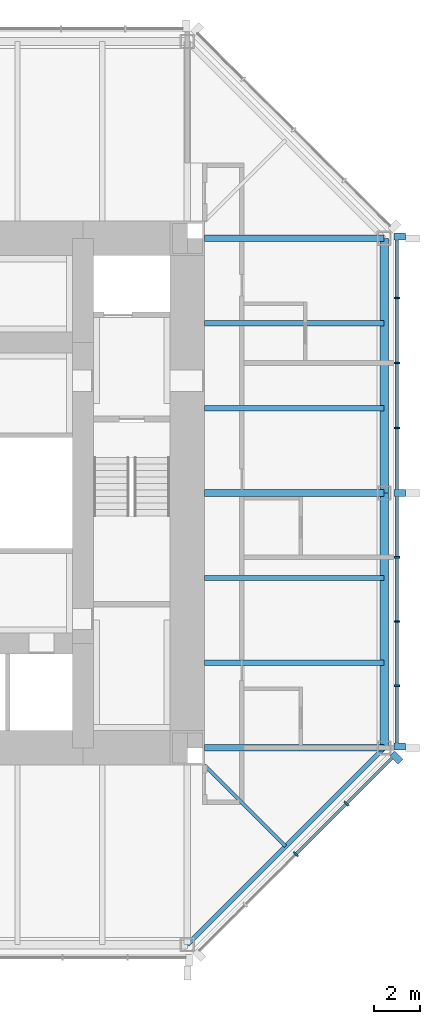
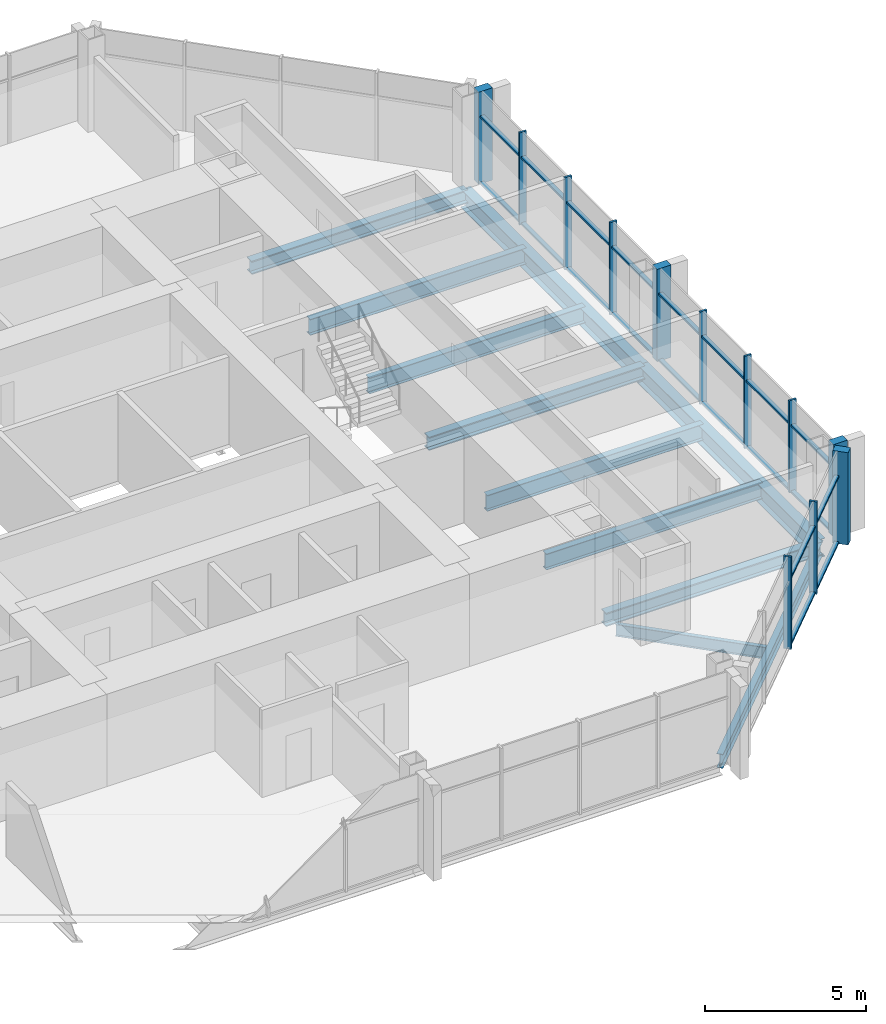
# One storey, part 4 of 11: 32 members, 11 beams, 2 elements without a shape of their own.
"""IFC4 building model written with IfcOpenShell, lengths in metres."""

from ifc_helpers import new_model, si_unit, direction, frame, origin, origin_2d, place, context, subcontext, project, spatial, rectangle, i_section, extrude, material, material_profile, profile_set, type_object, element, aggregate, save


model = new_model("IFC4")

# Units and contexts
model_context = context("Model", 3, precision=1e-05, world=origin(), true_north=direction((0.0, 1.0)))
body_context = subcontext(model_context, "Body", "Model", "MODEL_VIEW")
ifc_project = project(units=[si_unit("LENGTHUNIT", "METRE"), si_unit("AREAUNIT", "SQUARE_METRE"), si_unit("VOLUMEUNIT", "CUBIC_METRE"), si_unit("PLANEANGLEUNIT", "RADIAN"), si_unit("MASSUNIT", "GRAM", prefix="KILO")], contexts=[model_context])

# Site, building, storey
site_placement = place(None, origin())
site = spatial("IfcSite", under=ifc_project, at=site_placement, CompositionType="ELEMENT")
building_placement = place(site_placement, origin())
building = spatial("IfcBuilding", under=site, at=building_placement, Name="Trevanion Tower", CompositionType="ELEMENT")
storey_placement = place(building_placement, frame((0.0, 0.0, 236.199951171875)))
storey = spatial("IfcBuildingStorey", under=building, at=storey_placement, Name="L57", CompositionType="ELEMENT", Elevation=236.199951171875)

# Beams
ifc_material_1 = material(Name="Steel ASTM A992 Grade 50", Category="steel")
ifc_material_profile_1 = material_profile(ifc_material_1, i_section(OverallWidth=0.228271484375, OverallDepth=0.607177734375, WebThickness=0.01123046875, FlangeThickness=0.017333984375, at=origin_2d()), Name="W24X76")
ifc_profile_set_1 = profile_set([ifc_material_profile_1], Name="Steel ASTM A992 Grade 50")
beam_type_1 = type_object("IfcBeamType", Name="B11 W24X76", PredefinedType="BEAM", material=ifc_profile_set_1)
for number, where, z_axis, x_axis, name in (
    (1, (11.75, -7.333251953125, -0.493408203125), (1.0, 0.0, 0.0), (0.0, 1.0, 0.0), "B11 L57"),
    (2, (11.75, -3.666748046875, -0.493408203125), (1.0, 0.0, 0.0), (0.0, 1.0, 0.0), "B11 L57"),
    (3, (11.75, 3.666748046875, -0.493408203125), (1.0, 0.0, 0.0), (0.0, 1.0, 0.0), "B11 L57"),
    (4, (11.75, 7.333251953125, -0.493408203125), (1.0, 0.0, 0.0), (0.0, 1.0, 0.0), "B11 L57"),
):
    element("IfcBeam", number, at=place(storey_placement, frame(where, z_axis=z_axis, x_axis=x_axis)), inside=storey, type_object=beam_type_1, Name=name, PredefinedType="BEAM", context=body_context, shape_type="SweptSolid", body=[
        extrude(i_section(OverallWidth=0.228271484375, OverallDepth=0.607177734375, WebThickness=0.01123046875, FlangeThickness=0.017333984375, at=origin_2d()), origin(), (0.0, 0.0, 1.0), 7.75),
    ])
ifc_material_2 = material(Name="Steel ASTM A992 Grade 50", Category="steel")
ifc_material_profile_2 = material_profile(ifc_material_2, i_section(OverallWidth=0.15234375, OverallDepth=0.449462890625, WebThickness=0.007568359375, FlangeThickness=0.0107421875, at=origin_2d()), Name="W18X35")
ifc_profile_set_2 = profile_set([ifc_material_profile_2], Name="Steel ASTM A992 Grade 50")
beam_type_2 = type_object("IfcBeamType", Name="B12 W18X35", PredefinedType="BEAM", material=ifc_profile_set_2)
beam_1_placement = place(storey_placement, frame((11.75, -11.75, -0.414794921875), z_axis=(0.707106781187, -0.707106781187, 0.0), x_axis=(0.707106781187, 0.707106781187, 0.0)))
element("IfcBeam", 5, at=beam_1_placement, inside=storey, type_object=beam_type_2, Name="B12 L57", PredefinedType="BEAM", context=body_context, shape_type="SweptSolid", body=[
    extrude(i_section(OverallWidth=0.15234375, OverallDepth=0.449462890625, WebThickness=0.007568359375, FlangeThickness=0.0107421875, at=origin_2d()), origin(), (0.0, 0.0, 1.0), 4.94970703125),
])

# Curtain wall, members
ifc_material_3 = material(Name="Aluminium and glass", Category="aluminium")
curtain_wall_type = type_object("IfcCurtainWallType", Name="CW3 curtain wall", PredefinedType="USERDEFINED", material=ifc_material_3)
curtain_wall_1_placement = place(storey_placement, origin())
curtain_wall_1 = element("IfcCurtainWall", 6, at=curtain_wall_1_placement, inside=storey, type_object=curtain_wall_type, Name="CW3 L57 0", ObjectType="UNITISED CURTAIN WALL", PredefinedType="USERDEFINED")
ifc_material_4 = material(Name="Aluminium extrusion, anodised bronze", Category="aluminium")
ifc_material_profile_3 = material_profile(ifc_material_4, rectangle(XDim=0.074951171875, YDim=0.25, at=origin_2d()), Name="CW3 mullion")
ifc_profile_set_3 = profile_set([ifc_material_profile_3], Name="Aluminium extrusion, anodised bronze")
member_type_1 = type_object("IfcMemberType", Name="CW3 mullion", PredefinedType="MULLION", material=ifc_profile_set_3)
member_1_placement = place(storey_placement, frame((20.050048828125, -8.323486328125, -0.18994140625), z_axis=(0.0, 0.0, 1.0), x_axis=(0.0, 1.0, 0.0)))
member_1 = element("IfcMember", 7, at=member_1_placement, type_object=member_type_1, Name="CW3 mullion 2", PredefinedType="MULLION", context=body_context, shape_type="SweptSolid", body=[
    extrude(rectangle(XDim=0.074951171875, YDim=0.25, at=origin_2d()), origin(), (0.0, 0.0, 1.0), 3.5),
])
member_2_placement = place(storey_placement, frame((20.050048828125, -5.548828125, -0.18994140625), z_axis=(0.0, 0.0, 1.0), x_axis=(0.0, 1.0, 0.0)))
member_2 = element("IfcMember", 8, at=member_2_placement, type_object=member_type_1, Name="CW3 mullion 3", PredefinedType="MULLION", context=body_context, shape_type="SweptSolid", body=[
    extrude(rectangle(XDim=0.074951171875, YDim=0.25, at=origin_2d()), origin(), (0.0, 0.0, 1.0), 3.5),
])
member_3_placement = place(storey_placement, frame((20.050048828125, -2.7744140625, -0.18994140625), z_axis=(0.0, 0.0, 1.0), x_axis=(0.0, 1.0, 0.0)))
member_3 = element("IfcMember", 9, at=member_3_placement, type_object=member_type_1, Name="CW3 mullion 4", PredefinedType="MULLION", context=body_context, shape_type="SweptSolid", body=[
    extrude(rectangle(XDim=0.074951171875, YDim=0.25, at=origin_2d()), origin(), (0.0, 0.0, 1.0), 3.5),
])
member_4_placement = place(storey_placement, frame((20.050048828125, 2.806884765625, -0.18994140625), z_axis=(0.0, 0.0, 1.0), x_axis=(0.0, 1.0, 0.0)))
member_4 = element("IfcMember", 10, at=member_4_placement, type_object=member_type_1, Name="CW3 mullion 6", PredefinedType="MULLION", context=body_context, shape_type="SweptSolid", body=[
    extrude(rectangle(XDim=0.074951171875, YDim=0.25, at=origin_2d()), origin(), (0.0, 0.0, 1.0), 3.5),
])
member_5_placement = place(storey_placement, frame((20.050048828125, 5.614013671875, -0.18994140625), z_axis=(0.0, 0.0, 1.0), x_axis=(0.0, 1.0, 0.0)))
member_5 = element("IfcMember", 11, at=member_5_placement, type_object=member_type_1, Name="CW3 mullion 7", PredefinedType="MULLION", context=body_context, shape_type="SweptSolid", body=[
    extrude(rectangle(XDim=0.074951171875, YDim=0.25, at=origin_2d()), origin(), (0.0, 0.0, 1.0), 3.5),
])
member_6_placement = place(storey_placement, frame((20.050048828125, 8.4208984375, -0.18994140625), z_axis=(0.0, 0.0, 1.0), x_axis=(0.0, 1.0, 0.0)))
member_6 = element("IfcMember", 12, at=member_6_placement, type_object=member_type_1, Name="CW3 mullion 8", PredefinedType="MULLION", context=body_context, shape_type="SweptSolid", body=[
    extrude(rectangle(XDim=0.074951171875, YDim=0.25, at=origin_2d()), origin(), (0.0, 0.0, 1.0), 3.5),
])

curtain_wall_2_placement = place(storey_placement, origin())
curtain_wall_2 = element("IfcCurtainWall", 13, at=curtain_wall_2_placement, inside=storey, type_object=curtain_wall_type, Name="CW3 L57 7", ObjectType="UNITISED CURTAIN WALL", PredefinedType="USERDEFINED")
member_7_placement = place(storey_placement, frame((15.684814453125, -15.593017578125, -0.18994140625), z_axis=(0.0, 0.0, 1.0), x_axis=(0.707106781187, 0.707106781187, 0.0)))
member_7 = element("IfcMember", 14, at=member_7_placement, type_object=member_type_1, Name="CW3 mullion 3", PredefinedType="MULLION", context=body_context, shape_type="SweptSolid", body=[
    extrude(rectangle(XDim=0.074951171875, YDim=0.25, at=origin_2d()), origin(), (0.0, 0.0, 1.0), 3.5),
])
member_8_placement = place(storey_placement, frame((17.867431640625, -13.410400390625, -0.18994140625), z_axis=(0.0, 0.0, 1.0), x_axis=(0.707106781187, 0.707106781187, 0.0)))
member_8 = element("IfcMember", 15, at=member_8_placement, type_object=member_type_1, Name="CW3 mullion 4", PredefinedType="MULLION", context=body_context, shape_type="SweptSolid", body=[
    extrude(rectangle(XDim=0.074951171875, YDim=0.25, at=origin_2d()), origin(), (0.0, 0.0, 1.0), 3.5),
])

# Member
ifc_material_5 = material(Name="Aluminium extrusion, anodised bronze", Category="aluminium")
ifc_material_profile_4 = material_profile(ifc_material_5, rectangle(XDim=0.300048828125, YDim=0.5, at=origin_2d()), Name="CW3 pier mullion")
ifc_profile_set_4 = profile_set([ifc_material_profile_4], Name="Aluminium extrusion, anodised bronze")
member_type_2 = type_object("IfcMemberType", Name="CW3 pier mullion", PredefinedType="MULLION", material=ifc_profile_set_4)
member_9_placement = place(storey_placement, frame((20.175048828125, -10.94775390625, -0.18994140625), z_axis=(0.0, 0.0, 1.0), x_axis=(0.0, 1.0, 0.0)))
member_9 = element("IfcMember", 16, at=member_9_placement, type_object=member_type_2, Name="CW3 pier mullion 1", PredefinedType="MULLION", context=body_context, shape_type="SweptSolid", body=[
    extrude(rectangle(XDim=0.300048828125, YDim=0.5, at=origin_2d()), origin(), (0.0, 0.0, 1.0), 3.5),
])

member_10_placement = place(storey_placement, frame((20.175048828125, 0.0, -0.18994140625), z_axis=(0.0, 0.0, 1.0), x_axis=(0.0, 1.0, 0.0)))
member_10 = element("IfcMember", 17, at=member_10_placement, type_object=member_type_2, Name="CW3 pier mullion 5", PredefinedType="MULLION", context=body_context, shape_type="SweptSolid", body=[
    extrude(rectangle(XDim=0.300048828125, YDim=0.5, at=origin_2d()), origin(), (0.0, 0.0, 1.0), 3.5),
])

member_11_placement = place(storey_placement, frame((20.175048828125, 11.077880859375, -0.18994140625), z_axis=(0.0, 0.0, 1.0), x_axis=(0.0, 1.0, 0.0)))
member_11 = element("IfcMember", 18, at=member_11_placement, type_object=member_type_2, Name="CW3 pier mullion 9", PredefinedType="MULLION", context=body_context, shape_type="SweptSolid", body=[
    extrude(rectangle(XDim=0.300048828125, YDim=0.5, at=origin_2d()), origin(), (0.0, 0.0, 1.0), 3.5),
])

member_12_placement = place(storey_placement, frame((20.0322265625, -11.42236328125, -0.18994140625), z_axis=(0.0, 0.0, 1.0), x_axis=(0.707106781187, 0.707106781187, 0.0)))
member_12 = element("IfcMember", 19, at=member_12_placement, type_object=member_type_2, Name="CW3 pier mullion 5", PredefinedType="MULLION", context=body_context, shape_type="SweptSolid", body=[
    extrude(rectangle(XDim=0.300048828125, YDim=0.5, at=origin_2d()), origin(), (0.0, 0.0, 1.0), 3.5),
])

ifc_material_6 = material(Name="Aluminium extrusion, anodised bronze", Category="aluminium")
ifc_material_profile_5 = material_profile(ifc_material_6, rectangle(XDim=0.14990234375, YDim=0.074951171875, at=origin_2d()), Name="CW3 transom")
ifc_profile_set_5 = profile_set([ifc_material_profile_5], Name="Aluminium extrusion, anodised bronze")
member_type_3 = type_object("IfcMemberType", Name="CW3 transom", PredefinedType="USERDEFINED", material=ifc_profile_set_5)
member_13_placement = place(storey_placement, frame((20.050048828125, -10.7978515625, -0.15234375), z_axis=(0.0, 1.0, 0.0), x_axis=(-1.0, 0.0, 0.0)))
member_13 = element("IfcMember", 20, at=member_13_placement, type_object=member_type_3, Name="CW3 transom 1.1", ObjectType="TRANSOM", PredefinedType="USERDEFINED", context=body_context, shape_type="SweptSolid", body=[
    extrude(rectangle(XDim=0.14990234375, YDim=0.074951171875, at=origin_2d()), origin(), (0.0, 0.0, 1.0), 2.43701171875),
])

member_14_placement = place(storey_placement, frame((20.050048828125, -10.7978515625, 2.360107421875), z_axis=(0.0, 1.0, 0.0), x_axis=(-1.0, 0.0, 0.0)))
member_14 = element("IfcMember", 21, at=member_14_placement, type_object=member_type_3, Name="CW3 transom 1.2", ObjectType="TRANSOM", PredefinedType="USERDEFINED", context=body_context, shape_type="SweptSolid", body=[
    extrude(rectangle(XDim=0.14990234375, YDim=0.074951171875, at=origin_2d()), origin(), (0.0, 0.0, 1.0), 2.43701171875),
])

member_15_placement = place(storey_placement, frame((20.050048828125, -8.285888671875, -0.15234375), z_axis=(0.0, 1.0, 0.0), x_axis=(-1.0, 0.0, 0.0)))
member_15 = element("IfcMember", 22, at=member_15_placement, type_object=member_type_3, Name="CW3 transom 2.1", ObjectType="TRANSOM", PredefinedType="USERDEFINED", context=body_context, shape_type="SweptSolid", body=[
    extrude(rectangle(XDim=0.14990234375, YDim=0.074951171875, at=origin_2d()), origin(), (0.0, 0.0, 1.0), 2.699462890625),
])

member_16_placement = place(storey_placement, frame((20.050048828125, -8.285888671875, 2.360107421875), z_axis=(0.0, 1.0, 0.0), x_axis=(-1.0, 0.0, 0.0)))
member_16 = element("IfcMember", 23, at=member_16_placement, type_object=member_type_3, Name="CW3 transom 2.2", ObjectType="TRANSOM", PredefinedType="USERDEFINED", context=body_context, shape_type="SweptSolid", body=[
    extrude(rectangle(XDim=0.14990234375, YDim=0.074951171875, at=origin_2d()), origin(), (0.0, 0.0, 1.0), 2.699462890625),
])

member_17_placement = place(storey_placement, frame((20.050048828125, -5.511474609375, -0.15234375), z_axis=(0.0, 1.0, 0.0), x_axis=(-1.0, 0.0, 0.0)))
member_17 = element("IfcMember", 24, at=member_17_placement, type_object=member_type_3, Name="CW3 transom 3.1", ObjectType="TRANSOM", PredefinedType="USERDEFINED", context=body_context, shape_type="SweptSolid", body=[
    extrude(rectangle(XDim=0.14990234375, YDim=0.074951171875, at=origin_2d()), origin(), (0.0, 0.0, 1.0), 2.699462890625),
])

member_18_placement = place(storey_placement, frame((20.050048828125, -5.511474609375, 2.360107421875), z_axis=(0.0, 1.0, 0.0), x_axis=(-1.0, 0.0, 0.0)))
member_18 = element("IfcMember", 25, at=member_18_placement, type_object=member_type_3, Name="CW3 transom 3.2", ObjectType="TRANSOM", PredefinedType="USERDEFINED", context=body_context, shape_type="SweptSolid", body=[
    extrude(rectangle(XDim=0.14990234375, YDim=0.074951171875, at=origin_2d()), origin(), (0.0, 0.0, 1.0), 2.699462890625),
])

member_19_placement = place(storey_placement, frame((20.050048828125, -2.737060546875, -0.15234375), z_axis=(0.0, 1.0, 0.0), x_axis=(-1.0, 0.0, 0.0)))
member_19 = element("IfcMember", 26, at=member_19_placement, type_object=member_type_3, Name="CW3 transom 4.1", ObjectType="TRANSOM", PredefinedType="USERDEFINED", context=body_context, shape_type="SweptSolid", body=[
    extrude(rectangle(XDim=0.14990234375, YDim=0.074951171875, at=origin_2d()), origin(), (0.0, 0.0, 1.0), 2.587158203125),
])

member_20_placement = place(storey_placement, frame((20.050048828125, -2.737060546875, 2.360107421875), z_axis=(0.0, 1.0, 0.0), x_axis=(-1.0, 0.0, 0.0)))
member_20 = element("IfcMember", 27, at=member_20_placement, type_object=member_type_3, Name="CW3 transom 4.2", ObjectType="TRANSOM", PredefinedType="USERDEFINED", context=body_context, shape_type="SweptSolid", body=[
    extrude(rectangle(XDim=0.14990234375, YDim=0.074951171875, at=origin_2d()), origin(), (0.0, 0.0, 1.0), 2.587158203125),
])

member_21_placement = place(storey_placement, frame((20.050048828125, 0.14990234375, -0.15234375), z_axis=(0.0, 1.0, 0.0), x_axis=(-1.0, 0.0, 0.0)))
member_21 = element("IfcMember", 28, at=member_21_placement, type_object=member_type_3, Name="CW3 transom 5.1", ObjectType="TRANSOM", PredefinedType="USERDEFINED", context=body_context, shape_type="SweptSolid", body=[
    extrude(rectangle(XDim=0.14990234375, YDim=0.074951171875, at=origin_2d()), origin(), (0.0, 0.0, 1.0), 2.619384765625),
])

member_22_placement = place(storey_placement, frame((20.050048828125, 0.14990234375, 2.360107421875), z_axis=(0.0, 1.0, 0.0), x_axis=(-1.0, 0.0, 0.0)))
member_22 = element("IfcMember", 29, at=member_22_placement, type_object=member_type_3, Name="CW3 transom 5.2", ObjectType="TRANSOM", PredefinedType="USERDEFINED", context=body_context, shape_type="SweptSolid", body=[
    extrude(rectangle(XDim=0.14990234375, YDim=0.074951171875, at=origin_2d()), origin(), (0.0, 0.0, 1.0), 2.619384765625),
])

member_23_placement = place(storey_placement, frame((20.050048828125, 2.844482421875, -0.15234375), z_axis=(0.0, 1.0, 0.0), x_axis=(-1.0, 0.0, 0.0)))
member_23 = element("IfcMember", 30, at=member_23_placement, type_object=member_type_3, Name="CW3 transom 6.1", ObjectType="TRANSOM", PredefinedType="USERDEFINED", context=body_context, shape_type="SweptSolid", body=[
    extrude(rectangle(XDim=0.14990234375, YDim=0.074951171875, at=origin_2d()), origin(), (0.0, 0.0, 1.0), 2.73193359375),
])

member_24_placement = place(storey_placement, frame((20.050048828125, 2.844482421875, 2.360107421875), z_axis=(0.0, 1.0, 0.0), x_axis=(-1.0, 0.0, 0.0)))
member_24 = element("IfcMember", 31, at=member_24_placement, type_object=member_type_3, Name="CW3 transom 6.2", ObjectType="TRANSOM", PredefinedType="USERDEFINED", context=body_context, shape_type="SweptSolid", body=[
    extrude(rectangle(XDim=0.14990234375, YDim=0.074951171875, at=origin_2d()), origin(), (0.0, 0.0, 1.0), 2.73193359375),
])

member_25_placement = place(storey_placement, frame((20.050048828125, 5.6513671875, -0.15234375), z_axis=(0.0, 1.0, 0.0), x_axis=(-1.0, 0.0, 0.0)))
member_25 = element("IfcMember", 32, at=member_25_placement, type_object=member_type_3, Name="CW3 transom 7.1", ObjectType="TRANSOM", PredefinedType="USERDEFINED", context=body_context, shape_type="SweptSolid", body=[
    extrude(rectangle(XDim=0.14990234375, YDim=0.074951171875, at=origin_2d()), origin(), (0.0, 0.0, 1.0), 2.73193359375),
])

member_26_placement = place(storey_placement, frame((20.050048828125, 5.6513671875, 2.360107421875), z_axis=(0.0, 1.0, 0.0), x_axis=(-1.0, 0.0, 0.0)))
member_26 = element("IfcMember", 33, at=member_26_placement, type_object=member_type_3, Name="CW3 transom 7.2", ObjectType="TRANSOM", PredefinedType="USERDEFINED", context=body_context, shape_type="SweptSolid", body=[
    extrude(rectangle(XDim=0.14990234375, YDim=0.074951171875, at=origin_2d()), origin(), (0.0, 0.0, 1.0), 2.73193359375),
])

member_27_placement = place(storey_placement, frame((20.050048828125, 8.45849609375, -0.15234375), z_axis=(0.0, 1.0, 0.0), x_axis=(-1.0, 0.0, 0.0)))
member_27 = element("IfcMember", 34, at=member_27_placement, type_object=member_type_3, Name="CW3 transom 8.1", ObjectType="TRANSOM", PredefinedType="USERDEFINED", context=body_context, shape_type="SweptSolid", body=[
    extrude(rectangle(XDim=0.14990234375, YDim=0.074951171875, at=origin_2d()), origin(), (0.0, 0.0, 1.0), 2.46923828125),
])

member_28_placement = place(storey_placement, frame((20.050048828125, 8.45849609375, 2.360107421875), z_axis=(0.0, 1.0, 0.0), x_axis=(-1.0, 0.0, 0.0)))
member_28 = element("IfcMember", 35, at=member_28_placement, type_object=member_type_3, Name="CW3 transom 8.2", ObjectType="TRANSOM", PredefinedType="USERDEFINED", context=body_context, shape_type="SweptSolid", body=[
    extrude(rectangle(XDim=0.14990234375, YDim=0.074951171875, at=origin_2d()), origin(), (0.0, 0.0, 1.0), 2.46923828125),
])

aggregate(curtain_wall_1, [member_9, member_1, member_2, member_3, member_10, member_4, member_5, member_6, member_11, member_13, member_14, member_15, member_16, member_17, member_18, member_19, member_20, member_21, member_22, member_23, member_24, member_25, member_26, member_27, member_28])

member_29_placement = place(storey_placement, frame((15.71142578125, -15.56640625, -0.15234375), z_axis=(0.707106781187, 0.707106781187, 0.0), x_axis=(-0.707106781187, 0.707106781187, 0.0)))
member_29 = element("IfcMember", 36, at=member_29_placement, type_object=member_type_3, Name="CW3 transom 3.1", ObjectType="TRANSOM", PredefinedType="USERDEFINED", context=body_context, shape_type="SweptSolid", body=[
    extrude(rectangle(XDim=0.14990234375, YDim=0.074951171875, at=origin_2d()), origin(), (0.0, 0.0, 1.0), 3.011474609375),
])

member_30_placement = place(storey_placement, frame((15.71142578125, -15.56640625, 2.360107421875), z_axis=(0.707106781187, 0.707106781187, 0.0), x_axis=(-0.707106781187, 0.707106781187, 0.0)))
member_30 = element("IfcMember", 37, at=member_30_placement, type_object=member_type_3, Name="CW3 transom 3.2", ObjectType="TRANSOM", PredefinedType="USERDEFINED", context=body_context, shape_type="SweptSolid", body=[
    extrude(rectangle(XDim=0.14990234375, YDim=0.074951171875, at=origin_2d()), origin(), (0.0, 0.0, 1.0), 3.011474609375),
])

member_31_placement = place(storey_placement, frame((17.89404296875, -13.3837890625, -0.15234375), z_axis=(0.707106781187, 0.707106781187, 0.0), x_axis=(-0.707106781187, 0.707106781187, 0.0)))
member_31 = element("IfcMember", 38, at=member_31_placement, type_object=member_type_3, Name="CW3 transom 4.1", ObjectType="TRANSOM", PredefinedType="USERDEFINED", context=body_context, shape_type="SweptSolid", body=[
    extrude(rectangle(XDim=0.14990234375, YDim=0.074951171875, at=origin_2d()), origin(), (0.0, 0.0, 1.0), 2.7490234375),
])

member_32_placement = place(storey_placement, frame((17.89404296875, -13.3837890625, 2.360107421875), z_axis=(0.707106781187, 0.707106781187, 0.0), x_axis=(-0.707106781187, 0.707106781187, 0.0)))
member_32 = element("IfcMember", 39, at=member_32_placement, type_object=member_type_3, Name="CW3 transom 4.2", ObjectType="TRANSOM", PredefinedType="USERDEFINED", context=body_context, shape_type="SweptSolid", body=[
    extrude(rectangle(XDim=0.14990234375, YDim=0.074951171875, at=origin_2d()), origin(), (0.0, 0.0, 1.0), 2.7490234375),
])

aggregate(curtain_wall_2, [member_7, member_8, member_12, member_29, member_30, member_31, member_32])

# Beams
ifc_material_7 = material(Name="Steel ASTM A992 Grade 50", Category="steel")
ifc_material_profile_6 = material_profile(ifc_material_7, i_section(OverallWidth=0.28955078125, OverallDepth=0.508056640625, WebThickness=0.022705078125, FlangeThickness=0.040283203125, at=origin_2d()), Name="W18X175")
ifc_profile_set_6 = profile_set([ifc_material_profile_6], Name="Steel ASTM A992 Grade 50")
beam_type_3 = type_object("IfcBeamType", Name="G6 W18X175", PredefinedType="BEAM", material=ifc_profile_set_6)
for number, where, z_axis, x_axis, name in (
    (40, (11.75, -11.0, -0.44384765625), (1.0, 0.0, 0.0), (0.0, 1.0, 0.0), "G6 L57"),
    (41, (11.75, 0.0, -0.44384765625), (1.0, 0.0, 0.0), (0.0, 1.0, 0.0), "G6 L57"),
    (42, (11.75, 11.0, -0.44384765625), (1.0, 0.0, 0.0), (0.0, 1.0, 0.0), "G6 L57"),
):
    element("IfcBeam", number, at=place(storey_placement, frame(where, z_axis=z_axis, x_axis=x_axis)), inside=storey, type_object=beam_type_3, Name=name, PredefinedType="BEAM", context=body_context, shape_type="SweptSolid", body=[
        extrude(i_section(OverallWidth=0.28955078125, OverallDepth=0.508056640625, WebThickness=0.022705078125, FlangeThickness=0.040283203125, at=origin_2d()), origin(), (0.0, 0.0, 1.0), 7.75),
    ])
ifc_material_8 = material(Name="Steel ASTM A992 Grade 50", Category="steel")
ifc_material_profile_7 = material_profile(ifc_material_8, i_section(OverallWidth=0.355712890625, OverallDepth=0.696044921875, WebThickness=0.015380859375, FlangeThickness=0.024658203125, at=origin_2d()), Name="W27X146")
ifc_profile_set_7 = profile_set([ifc_material_profile_7], Name="Steel ASTM A992 Grade 50")
beam_type_4 = type_object("IfcBeamType", Name="SB8 W27X146", PredefinedType="SPANDREL", material=ifc_profile_set_7)
for number, where, z_axis, x_axis, name in (
    (43, (19.5, -11.0, -0.537841796875), (0.0, 1.0, 0.0), (-1.0, 0.0, 0.0), "SB8 L57"),
    (44, (19.5, 0.0, -0.537841796875), (0.0, 1.0, 0.0), (-1.0, 0.0, 0.0), "SB8 L57"),
):
    element("IfcBeam", number, at=place(storey_placement, frame(where, z_axis=z_axis, x_axis=x_axis)), inside=storey, type_object=beam_type_4, Name=name, PredefinedType="SPANDREL", context=body_context, shape_type="SweptSolid", body=[
        extrude(i_section(OverallWidth=0.355712890625, OverallDepth=0.696044921875, WebThickness=0.015380859375, FlangeThickness=0.024658203125, at=origin_2d()), origin(), (0.0, 0.0, 1.0), 11.0),
    ])
ifc_material_9 = material(Name="Steel ASTM A992 Grade 50", Category="steel")
ifc_material_profile_8 = material_profile(ifc_material_9, i_section(OverallWidth=0.209228515625, OverallDepth=0.533447265625, WebThickness=0.01025390625, FlangeThickness=0.015625, at=origin_2d()), Name="W21X62")
ifc_profile_set_8 = profile_set([ifc_material_profile_8], Name="Steel ASTM A992 Grade 50")
beam_type_5 = type_object("IfcBeamType", Name="SB9 W21X62", PredefinedType="SPANDREL", material=ifc_profile_set_8)
beam_2_placement = place(storey_placement, frame((11.0, -19.5, -0.45654296875), z_axis=(0.707106781187, 0.707106781187, 0.0), x_axis=(-0.707106781187, 0.707106781187, 0.0)))
element("IfcBeam", 45, at=beam_2_placement, inside=storey, type_object=beam_type_5, Name="SB9 L57", PredefinedType="SPANDREL", context=body_context, shape_type="SweptSolid", body=[
    extrude(i_section(OverallWidth=0.209228515625, OverallDepth=0.533447265625, WebThickness=0.01025390625, FlangeThickness=0.015625, at=origin_2d()), origin(), (0.0, 0.0, 1.0), 12.020751953125),
])

save(model, "model.ifc")
